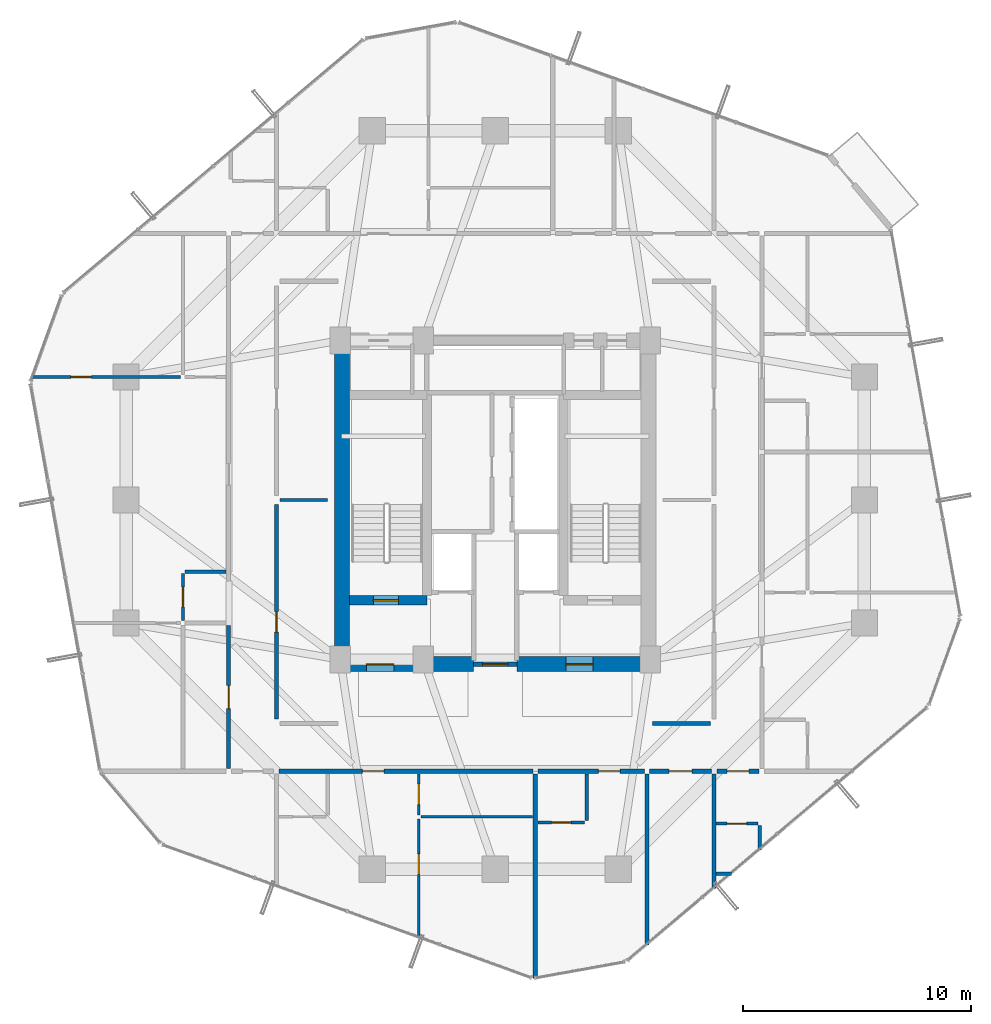
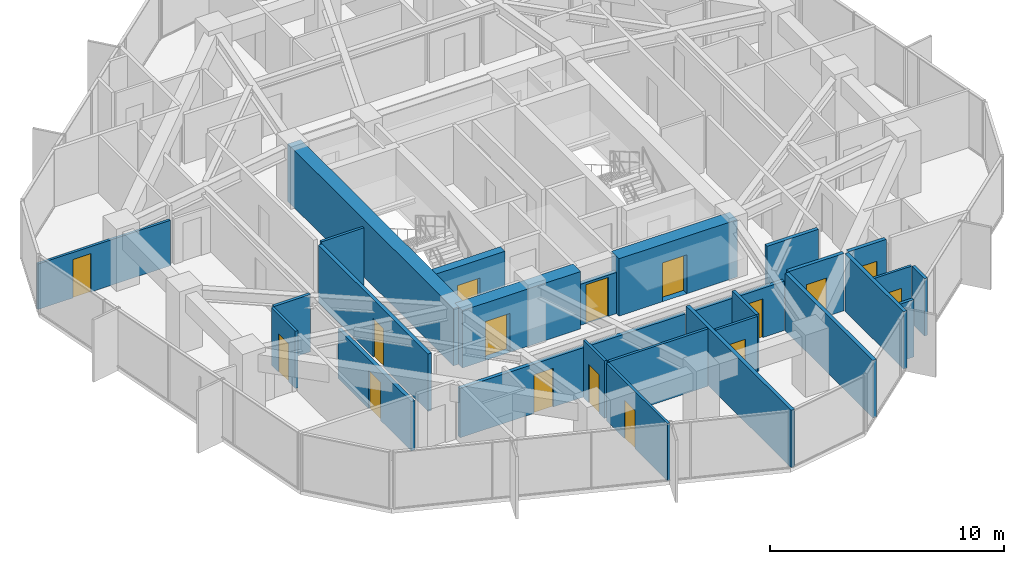
# One storey, part 31 of 36: 27 walls, 16 doors, 16 openings.
"""IFC4 building model written with IfcOpenShell, lengths in metres."""

from ifc_helpers import new_model, si_unit, direction, frame, frame_2d, origin, place, context, subcontext, project, spatial, rectangle, extrude, source, transform, mapped, material, layer, layer_set, type_object, element, fill, save


model = new_model("IFC4")

# Units and contexts
model_context = context("Model", 3, precision=1e-05, world=origin(), true_north=direction((0.0, 1.0)))
body_context = subcontext(model_context, "Body", "Model", "MODEL_VIEW")
ifc_project = project(units=[si_unit("LENGTHUNIT", "METRE"), si_unit("AREAUNIT", "SQUARE_METRE"), si_unit("VOLUMEUNIT", "CUBIC_METRE"), si_unit("PLANEANGLEUNIT", "RADIAN"), si_unit("MASSUNIT", "GRAM", prefix="KILO")], contexts=[model_context])

# Site, building, storey
site_placement = place(None, origin())
site = spatial("IfcSite", under=ifc_project, at=site_placement, CompositionType="ELEMENT")
building_placement = place(site_placement, origin())
building = spatial("IfcBuilding", under=site, at=building_placement, Name="Veraguas Prism Commons", CompositionType="ELEMENT")
storey_placement = place(building_placement, frame((0.0, 0.0, 163.050048828125)))
storey = spatial("IfcBuildingStorey", under=building, at=storey_placement, Name="L46", CompositionType="ELEMENT", Elevation=163.050048828125)

# Wall, opening, door
ifc_material_1 = material(Name="Concrete C50/60", Category="concrete")
ifc_layer_1 = layer(ifc_material_1, 0.39990234375, Name="Clinic and Mid Core Shear Wall RC 400", Category="concrete")
ifc_layer_set_1 = layer_set([ifc_layer_1], Name="Concrete C50/60")
wall_type_1 = type_object("IfcWallType", Name="Clinic and Mid Core Shear Wall RC 400", PredefinedType="SHEAR", material=ifc_layer_set_1)
wall_1_placement = place(storey_placement, frame((17.60009765625, 19.60009765625, 0.0), z_axis=(0.0, 0.0, 1.0), x_axis=(1.0, 0.0, 0.0)))
wall_1 = element("IfcWall", 1, at=wall_1_placement, inside=storey, type_object=wall_type_1, Name="Stair ST-01 South Shear Wall L46", PredefinedType="SHEAR", context=body_context, shape_type="SweptSolid", body=[
    extrude(rectangle(XDim=3.39990234375, YDim=0.39990234375, at=frame_2d((1.699951171875, 0.0))), origin(), (0.0, 0.0, 1.0), 3.0),
])
opening_1_placement = place(wall_1_placement, frame((1.050048828125, 0.0, 0.0)))
opening_1 = element("IfcOpeningElement", 2, at=opening_1_placement, cuts=wall_1, Name="Opening DR-05", PredefinedType="OPENING", context=body_context, shape_type="SweptSolid", body=[
    extrude(rectangle(XDim=1.10009765625, YDim=2.030029296875, at=frame_2d((0.550048828125, 1.01513671875))), frame((0.0, 0.2099609375, 0.0), z_axis=(0.0, -1.0, 0.0), x_axis=(1.0, 0.0, 0.0)), (0.0, 0.0, 1.0), 0.419921875),
])
ifc_material_2 = material(Name="Steel fire-rated door assembly", Category="steel")
door_type_1 = type_object("IfcDoorType", Name="Protected Stair and Refuge Fire Door 1100x2030", OperationType="NOTDEFINED", PredefinedType="DOOR", material=ifc_material_2)
shared_shape_1 = source(origin(), body_context, "Body", "SweptSolid", [
    extrude(rectangle(XDim=1.10009765625, YDim=2.030029296875, at=frame_2d((0.550048828125, 1.01513671875))), frame((0.0, 0.02490234375, 0.0), z_axis=(0.0, -1.0, 0.0), x_axis=(1.0, 0.0, 0.0)), (0.0, 0.0, 1.0), 0.050048828125),
])
door_1_placement = place(opening_1_placement, origin())
door_1 = element("IfcDoor", 3, at=door_1_placement, inside=storey, type_object=door_type_1, Name="Stair ST-01 Enclosure Door L46", OperationType="SINGLE_SWING_RIGHT", OverallHeight=2.030029296875, OverallWidth=1.10009765625, PredefinedType="DOOR", context=body_context, shape_type="MappedRepresentation", body=[
    mapped(shared_shape_1, transform((0.0, 0.0, 0.0), scale=1.0)),
])
fill(opening_1, door_1)

# Wall
ifc_material_3 = material(Name="Concrete C55/67", Category="concrete")
ifc_layer_2 = layer(ifc_material_3, 0.64990234375, Name="Core Outer Shear Wall Mid RC 650", Category="concrete")
ifc_layer_set_2 = layer_set([ifc_layer_2], Name="Concrete C55/67")
wall_type_2 = type_object("IfcWallType", Name="Core Outer Shear Wall Mid RC 650", PredefinedType="SHEAR", material=ifc_layer_set_2)
wall_2_placement = place(storey_placement, frame((17.27490234375, 16.800048828125, 0.0), z_axis=(0.0, 0.0, 1.0), x_axis=(0.0, 1.0, 0.0)))
element("IfcWall", 4, at=wall_2_placement, inside=storey, type_object=wall_type_2, Name="Central Core West Shear Wall L46", PredefinedType="SHEAR", context=body_context, shape_type="SweptSolid", body=[
    extrude(rectangle(XDim=14.199951171875, YDim=0.64990234375, at=frame_2d((7.10009765625, 0.0))), origin(), (0.0, 0.0, 1.0), 3.0),
])

# Wall, opening, door
wall_3_placement = place(storey_placement, frame((17.199951171875, 16.800048828125, 0.0), z_axis=(0.0, 0.0, 1.0), x_axis=(1.0, 0.0, 0.0)))
wall_3 = element("IfcWall", 5, at=wall_3_placement, inside=storey, type_object=wall_type_2, Name="Central Core South-West Shear Wall L46", PredefinedType="SHEAR", context=body_context, shape_type="SweptSolid", body=[
    extrude(rectangle(XDim=5.85009765625, YDim=0.64990234375, at=frame_2d((2.925048828125, 0.0))), origin(), (0.0, 0.0, 1.0), 3.0),
])
opening_2_placement = place(wall_3_placement, frame((1.14990234375, 0.0, 0.0)))
opening_2 = element("IfcOpeningElement", 6, at=opening_2_placement, cuts=wall_3, Name="Opening DR-06", PredefinedType="OPENING", context=body_context, shape_type="SweptSolid", body=[
    extrude(rectangle(XDim=1.199951171875, YDim=2.030029296875, at=frame_2d((0.60009765625, 1.01513671875))), frame((0.0, 0.3349609375, 0.0), z_axis=(0.0, -1.0, 0.0), x_axis=(1.0, 0.0, 0.0)), (0.0, 0.0, 1.0), 0.669921875),
])
door_type_2 = type_object("IfcDoorType", Name="Firefighting Lobby Smoke Door 1200x2030", OperationType="NOTDEFINED", PredefinedType="DOOR", material=ifc_material_2)
shared_shape_2 = source(origin(), body_context, "Body", "SweptSolid", [
    extrude(rectangle(XDim=1.199951171875, YDim=2.030029296875, at=frame_2d((0.60009765625, 1.01513671875))), frame((0.0, 0.02490234375, 0.0), z_axis=(0.0, -1.0, 0.0), x_axis=(1.0, 0.0, 0.0)), (0.0, 0.0, 1.0), 0.050048828125),
])
door_2_placement = place(opening_2_placement, origin())
door_2 = element("IfcDoor", 7, at=door_2_placement, inside=storey, type_object=door_type_2, Name="West FF Lobby Door L46", OperationType="SINGLE_SWING_RIGHT", OverallHeight=2.030029296875, OverallWidth=1.199951171875, PredefinedType="DOOR", context=body_context, shape_type="MappedRepresentation", body=[
    mapped(shared_shape_2, transform((0.0, 0.0, 0.0), scale=1.0)),
])
fill(opening_2, door_2)

wall_4_placement = place(storey_placement, frame((24.949951171875, 16.800048828125, 0.0), z_axis=(0.0, 0.0, 1.0), x_axis=(1.0, 0.0, 0.0)))
wall_4 = element("IfcWall", 8, at=wall_4_placement, inside=storey, type_object=wall_type_2, Name="Central Core South-East Shear Wall L46", PredefinedType="SHEAR", context=body_context, shape_type="SweptSolid", body=[
    extrude(rectangle(XDim=5.85009765625, YDim=0.64990234375, at=frame_2d((2.925048828125, 0.0))), origin(), (0.0, 0.0, 1.0), 3.0),
])
opening_3_placement = place(wall_4_placement, frame((2.14990234375, 0.0, 0.0)))
opening_3 = element("IfcOpeningElement", 9, at=opening_3_placement, cuts=wall_4, Name="Opening DR-06", PredefinedType="OPENING", context=body_context, shape_type="SweptSolid", body=[
    extrude(rectangle(XDim=1.199951171875, YDim=2.030029296875, at=frame_2d((0.60009765625, 1.01513671875))), frame((0.0, 0.3349609375, 0.0), z_axis=(0.0, -1.0, 0.0), x_axis=(1.0, 0.0, 0.0)), (0.0, 0.0, 1.0), 0.669921875),
])
door_3_placement = place(opening_3_placement, origin())
door_3 = element("IfcDoor", 10, at=door_3_placement, inside=storey, type_object=door_type_2, Name="East FF Lobby Door L46", OperationType="SINGLE_SWING_RIGHT", OverallHeight=2.030029296875, OverallWidth=1.199951171875, PredefinedType="DOOR", context=body_context, shape_type="MappedRepresentation", body=[
    mapped(shared_shape_2, transform((0.0, 0.0, 0.0), scale=1.0)),
])
fill(opening_3, door_3)

ifc_material_4 = material(Name="Autoclaved aerated masonry block 10 MPa", Category="masonry")
ifc_layer_3 = layer(ifc_material_4, 0.179931640625, Name="Corridor and Inter-Tenancy Partition 180", Category="masonry")
ifc_layer_set_3 = layer_set([ifc_layer_3], Name="Autoclaved aerated masonry block 10 MPa")
wall_type_3 = type_object("IfcWallType", Name="Corridor and Inter-Tenancy Partition 180", PredefinedType="PARTITIONING", material=ifc_layer_set_3)
wall_5_placement = place(storey_placement, frame((14.39990234375, 14.39990234375, 0.0), z_axis=(0.0, 0.0, 1.0), x_axis=(0.0, 1.0, 0.0)))
wall_5 = element("IfcWall", 11, at=wall_5_placement, inside=storey, type_object=wall_type_3, Name="WL-L46-IRW1", PredefinedType="PARTITIONING", context=body_context, shape_type="SweptSolid", body=[
    extrude(rectangle(XDim=9.400146484375, YDim=0.179931640625, at=frame_2d((4.7001953125, 0.0))), origin(), (0.0, 0.0, 1.0), 3.0),
])
opening_4_placement = place(wall_5_placement, frame((3.800048828125, 0.0, 0.0)))
opening_4 = element("IfcOpeningElement", 12, at=opening_4_placement, cuts=wall_5, Name="Opening DR-14", PredefinedType="OPENING", context=body_context, shape_type="SweptSolid", body=[
    extrude(rectangle(XDim=0.89990234375, YDim=2.010009765625, at=frame_2d((0.449951171875, 1.0048828125))), frame((0.0, 0.099853515625, 0.0), z_axis=(0.0, -1.0, 0.0), x_axis=(1.0, 0.0, 0.0)), (0.0, 0.0, 1.0), 0.199951171875),
])
door_type_3 = type_object("IfcDoorType", Name="Core Service Room Fire Door 900x2010", OperationType="NOTDEFINED", PredefinedType="DOOR", material=ifc_material_2)
shared_shape_3 = source(origin(), body_context, "Body", "SweptSolid", [
    extrude(rectangle(XDim=0.89990234375, YDim=2.010009765625, at=frame_2d((0.449951171875, 1.0048828125))), frame((0.0, 0.02490234375, 0.0), z_axis=(0.0, -1.0, 0.0), x_axis=(1.0, 0.0, 0.0)), (0.0, 0.0, 1.0), 0.050048828125),
])
door_4_placement = place(opening_4_placement, origin())
door_4 = element("IfcDoor", 13, at=door_4_placement, inside=storey, type_object=door_type_3, Name="Residents Quiet Study Pod Door L46", OperationType="SINGLE_SWING_LEFT", OverallHeight=2.010009765625, OverallWidth=0.89990234375, PredefinedType="DOOR", context=body_context, shape_type="MappedRepresentation", body=[
    mapped(shared_shape_3, transform((0.0, 0.0, 0.0), scale=1.0)),
])
fill(opening_4, door_4)

# Walls
wall_6_placement = place(storey_placement, frame((30.89990234375, 14.199951171875, 0.0), z_axis=(0.0, 0.0, 1.0), x_axis=(1.0, 0.0, 0.0)))
element("IfcWall", 14, at=wall_6_placement, inside=storey, type_object=wall_type_3, Name="WL-L46-IRES", PredefinedType="PARTITIONING", context=body_context, shape_type="SweptSolid", body=[
    extrude(rectangle(XDim=2.550048828125, YDim=0.179931640625, at=frame_2d((1.27490234375, 0.0))), origin(), (0.0, 0.0, 1.0), 3.0),
])
wall_7_placement = place(storey_placement, frame((33.60009765625, 11.97998046875, 0.0), z_axis=(0.0, 0.0, 1.0), x_axis=(0.0, -1.0, 0.0)))
element("IfcWall", 15, at=wall_7_placement, inside=storey, type_object=wall_type_3, Name="WL-L46-PT002", PredefinedType="PARTITIONING", context=body_context, shape_type="SweptSolid", body=[
    extrude(rectangle(XDim=5.019775390625, YDim=0.179931640625, at=frame_2d((2.509765625, 0.0))), origin(), (0.0, 0.0, 1.0), 3.0),
])

# Wall, opening, door
wall_8_placement = place(storey_placement, frame((14.510009765625, 12.10009765625, 0.0), z_axis=(0.0, 0.0, 1.0), x_axis=(1.0, 0.0, 0.0)))
wall_8 = element("IfcWall", 16, at=wall_8_placement, inside=storey, type_object=wall_type_3, Name="WL-L46-PT003", PredefinedType="PARTITIONING", context=body_context, shape_type="SweptSolid", body=[
    extrude(rectangle(XDim=11.135986328125, YDim=0.179931640625, at=frame_2d((5.56787109375, 0.0))), origin(), (0.0, 0.0, 1.0), 2.579833984375),
])
opening_5_placement = place(wall_8_placement, frame((3.6630859375, 0.0, 0.0)))
opening_5 = element("IfcOpeningElement", 17, at=opening_5_placement, cuts=wall_8, Name="Opening DR-01", PredefinedType="OPENING", context=body_context, shape_type="SweptSolid", body=[
    extrude(rectangle(XDim=0.949951171875, YDim=2.02001953125, at=frame_2d((0.47509765625, 1.010009765625))), frame((0.0, 0.099853515625, 0.0), z_axis=(0.0, -1.0, 0.0), x_axis=(1.0, 0.0, 0.0)), (0.0, 0.0, 1.0), 0.199951171875),
])
ifc_material_5 = material(Name="Anodised aluminium EN AW-6063 T6", Category="aluminium")
door_type_4 = type_object("IfcDoorType", Name="Apartment Entrance Fire Door 950x2020", OperationType="NOTDEFINED", PredefinedType="DOOR", material=ifc_material_5)
shared_shape_4 = source(origin(), body_context, "Body", "SweptSolid", [
    extrude(rectangle(XDim=0.949951171875, YDim=2.02001953125, at=frame_2d((0.47509765625, 1.010009765625))), frame((0.0, 0.02490234375, 0.0), z_axis=(0.0, -1.0, 0.0), x_axis=(1.0, 0.0, 0.0)), (0.0, 0.0, 1.0), 0.050048828125),
])
door_5_placement = place(opening_5_placement, origin())
door_5 = element("IfcDoor", 18, at=door_5_placement, inside=storey, type_object=door_type_4, Name="Flat 46A Entrance Door", OperationType="SINGLE_SWING_LEFT", OverallHeight=2.02001953125, OverallWidth=0.949951171875, PredefinedType="DOOR", context=body_context, shape_type="MappedRepresentation", body=[
    mapped(shared_shape_4, transform((0.0, 0.0, 0.0), scale=1.0)),
])
fill(opening_5, door_5)

# Wall
wall_9_placement = place(storey_placement, frame((25.756103515625, 11.97998046875, 0.0), z_axis=(0.0, 0.0, 1.0), x_axis=(0.0, -1.0, 0.0)))
element("IfcWall", 19, at=wall_9_placement, inside=storey, type_object=wall_type_3, Name="WL-L46-PT009", PredefinedType="PARTITIONING", context=body_context, shape_type="SweptSolid", body=[
    extrude(rectangle(XDim=8.9814453125, YDim=0.179931640625, at=frame_2d((4.49072265625, 0.0))), origin(), (0.0, 0.0, 1.0), 3.0),
])

# Wall, opening, door
wall_10_placement = place(storey_placement, frame((30.760009765625, 12.10009765625, 0.0), z_axis=(0.0, 0.0, 1.0), x_axis=(1.0, 0.0, 0.0)))
wall_10 = element("IfcWall", 20, at=wall_10_placement, inside=storey, type_object=wall_type_3, Name="WL-L46-PT010", PredefinedType="PARTITIONING", context=body_context, shape_type="SweptSolid", body=[
    extrude(rectangle(XDim=2.72998046875, YDim=0.179931640625, at=frame_2d((1.364990234375, 0.0))), origin(), (0.0, 0.0, 1.0), 3.0),
])
opening_6_placement = place(wall_10_placement, frame((0.864990234375, 0.0, 0.0)))
opening_6 = element("IfcOpeningElement", 21, at=opening_6_placement, cuts=wall_10, Name="Opening DR-13", PredefinedType="OPENING", context=body_context, shape_type="SweptSolid", body=[
    extrude(rectangle(XDim=1.0, YDim=2.010009765625, at=frame_2d((0.5, 1.0048828125))), frame((0.0, 0.099853515625, 0.0), z_axis=(0.0, -1.0, 0.0), x_axis=(1.0, 0.0, 0.0)), (0.0, 0.0, 1.0), 0.199951171875),
])
door_type_5 = type_object("IfcDoorType", Name="Core Accessible WC and Clinic Fire Door 1000x2010", OperationType="NOTDEFINED", PredefinedType="DOOR", material=ifc_material_2)
shared_shape_5 = source(origin(), body_context, "Body", "SweptSolid", [
    extrude(rectangle(XDim=1.0, YDim=2.010009765625, at=frame_2d((0.5, 1.0048828125))), frame((0.0, 0.02490234375, 0.0), z_axis=(0.0, -1.0, 0.0), x_axis=(1.0, 0.0, 0.0)), (0.0, 0.0, 1.0), 0.050048828125),
])
door_6_placement = place(opening_6_placement, origin())
door_6 = element("IfcDoor", 22, at=door_6_placement, inside=storey, type_object=door_type_5, Name="Quiet Study S Door", OperationType="SINGLE_SWING_LEFT", OverallHeight=2.010009765625, OverallWidth=1.0, PredefinedType="DOOR", context=body_context, shape_type="MappedRepresentation", body=[
    mapped(shared_shape_5, transform((0.0, 0.0, 0.0), scale=1.0)),
])
fill(opening_6, door_6)

# Wall
wall_11_placement = place(storey_placement, frame((30.64990234375, 11.97998046875, 0.0), z_axis=(0.0, 0.0, 1.0), x_axis=(0.0, -1.0, 0.0)))
element("IfcWall", 23, at=wall_11_placement, inside=storey, type_object=wall_type_3, Name="WL-L46-PT011", PredefinedType="PARTITIONING", context=body_context, shape_type="SweptSolid", body=[
    extrude(rectangle(XDim=7.5107421875, YDim=0.179931640625, at=frame_2d((3.75537109375, 0.0))), origin(), (0.0, 0.0, 1.0), 3.0),
])

# Wall, opening, door
wall_12_placement = place(storey_placement, frame((25.865966796875, 12.10009765625, 0.0), z_axis=(0.0, 0.0, 1.0), x_axis=(1.0, 0.0, 0.0)))
wall_12 = element("IfcWall", 24, at=wall_12_placement, inside=storey, type_object=wall_type_3, Name="WL-L46-PT012", PredefinedType="PARTITIONING", context=body_context, shape_type="SweptSolid", body=[
    extrude(rectangle(XDim=4.674072265625, YDim=0.179931640625, at=frame_2d((2.3369140625, 0.0))), origin(), (0.0, 0.0, 1.0), 2.579833984375),
])
opening_7_placement = place(wall_12_placement, frame((2.659912109375, 0.0, 0.0)))
opening_7 = element("IfcOpeningElement", 25, at=opening_7_placement, cuts=wall_12, Name="Opening DR-01", PredefinedType="OPENING", context=body_context, shape_type="SweptSolid", body=[
    extrude(rectangle(XDim=0.949951171875, YDim=2.02001953125, at=frame_2d((0.47509765625, 1.010009765625))), frame((0.0, 0.099853515625, 0.0), z_axis=(0.0, -1.0, 0.0), x_axis=(1.0, 0.0, 0.0)), (0.0, 0.0, 1.0), 0.199951171875),
])
door_7_placement = place(opening_7_placement, origin())
door_7 = element("IfcDoor", 26, at=door_7_placement, inside=storey, type_object=door_type_4, Name="Studio 46B Entrance Door", OperationType="SINGLE_SWING_RIGHT", OverallHeight=2.02001953125, OverallWidth=0.949951171875, PredefinedType="DOOR", context=body_context, shape_type="MappedRepresentation", body=[
    mapped(shared_shape_4, transform((0.0, 0.0, 0.0), scale=1.0)),
])
fill(opening_7, door_7)

wall_13_placement = place(storey_placement, frame((12.300048828125, 12.2099609375, 0.0), z_axis=(0.0, 0.0, 1.0), x_axis=(0.0, 1.0, 0.0)))
wall_13 = element("IfcWall", 27, at=wall_13_placement, inside=storey, type_object=wall_type_3, Name="WL-L46-PT029", PredefinedType="PARTITIONING", context=body_context, shape_type="SweptSolid", body=[
    extrude(rectangle(XDim=6.280029296875, YDim=0.179931640625, at=frame_2d((3.14013671875, 0.0))), origin(), (0.0, 0.0, 1.0), 2.579833984375),
])
opening_8_placement = place(wall_13_placement, frame((2.639892578125, 0.0, 0.0)))
opening_8 = element("IfcOpeningElement", 28, at=opening_8_placement, cuts=wall_13, Name="Opening DR-13", PredefinedType="OPENING", context=body_context, shape_type="SweptSolid", body=[
    extrude(rectangle(XDim=1.0, YDim=2.010009765625, at=frame_2d((0.5, 1.0048828125))), frame((0.0, 0.099853515625, 0.0), z_axis=(0.0, -1.0, 0.0), x_axis=(1.0, 0.0, 0.0)), (0.0, 0.0, 1.0), 0.199951171875),
])
door_8_placement = place(opening_8_placement, origin())
door_8 = element("IfcDoor", 29, at=door_8_placement, inside=storey, type_object=door_type_5, Name="Residents Study Alcove 46D Door", OperationType="SINGLE_SWING_RIGHT", OverallHeight=2.010009765625, OverallWidth=1.0, PredefinedType="DOOR", context=body_context, shape_type="MappedRepresentation", body=[
    mapped(shared_shape_5, transform((0.0, 0.0, 0.0), scale=1.0)),
])
fill(opening_8, door_8)

wall_14_placement = place(storey_placement, frame((33.719970703125, 12.10009765625, 0.0), z_axis=(0.0, 0.0, 1.0), x_axis=(1.0, 0.0, 0.0)))
wall_14 = element("IfcWall", 30, at=wall_14_placement, inside=storey, type_object=wall_type_3, Name="WL-L46-PT055", PredefinedType="PARTITIONING", context=body_context, shape_type="SweptSolid", body=[
    extrude(rectangle(XDim=1.860107421875, YDim=0.179931640625, at=frame_2d((0.93017578125, 0.0))), origin(), (0.0, 0.0, 1.0), 3.0),
])
opening_9_placement = place(wall_14_placement, frame((0.455078125, 0.0, 0.0)))
opening_9 = element("IfcOpeningElement", 31, at=opening_9_placement, cuts=wall_14, Name="Opening DR-01", PredefinedType="OPENING", context=body_context, shape_type="SweptSolid", body=[
    extrude(rectangle(XDim=0.949951171875, YDim=2.02001953125, at=frame_2d((0.47509765625, 1.010009765625))), frame((0.0, 0.099853515625, 0.0), z_axis=(0.0, -1.0, 0.0), x_axis=(1.0, 0.0, 0.0)), (0.0, 0.0, 1.0), 0.199951171875),
])
door_9_placement = place(opening_9_placement, origin())
door_9 = element("IfcDoor", 32, at=door_9_placement, inside=storey, type_object=door_type_4, Name="Studio 46G Entrance Door", OperationType="SINGLE_SWING_LEFT", OverallHeight=2.02001953125, OverallWidth=0.949951171875, PredefinedType="DOOR", context=body_context, shape_type="MappedRepresentation", body=[
    mapped(shared_shape_4, transform((0.0, 0.0, 0.0), scale=1.0)),
])
fill(opening_9, door_9)

# Wall
ifc_material_6 = material(Name="Lightweight acoustic gypsum board")
ifc_layer_4 = layer(ifc_material_6, 0.125, Name="Internal Apartment Room Partition 125")
ifc_layer_set_4 = layer_set([ifc_layer_4], Name="Lightweight acoustic gypsum board")
wall_type_4 = type_object("IfcWallType", Name="Internal Apartment Room Partition 125", PredefinedType="PARTITIONING", material=ifc_layer_set_4)
wall_15_placement = place(storey_placement, frame((14.550048828125, 24.0, 0.0), z_axis=(0.0, 0.0, 1.0), x_axis=(1.0, 0.0, 0.0)))
element("IfcWall", 33, at=wall_15_placement, inside=storey, type_object=wall_type_4, Name="WL-L46-IRWM", PredefinedType="PARTITIONING", context=body_context, shape_type="SweptSolid", body=[
    extrude(rectangle(XDim=2.099853515625, YDim=0.125, at=frame_2d((1.0498046875, 0.0))), origin(), (0.0, 0.0, 1.0), 3.0),
])

# Wall, opening, door
wall_16_placement = place(storey_placement, frame((20.64599609375, 11.97998046875, 0.0), z_axis=(0.0, 0.0, 1.0), x_axis=(0.0, -1.0, 0.0)))
wall_16 = element("IfcWall", 34, at=wall_16_placement, inside=storey, type_object=wall_type_4, Name="WL-L46-PT006", PredefinedType="PARTITIONING", context=body_context, shape_type="SweptSolid", body=[
    extrude(rectangle(XDim=1.800048828125, YDim=0.125, at=frame_2d((0.89990234375, 0.0))), origin(), (0.0, 0.0, 1.0), 3.0),
])
opening_10_placement = place(wall_16_placement, frame((0.449951171875, 0.0, 0.0)))
opening_10 = element("IfcOpeningElement", 35, at=opening_10_placement, cuts=wall_16, Name="Opening DR-02", PredefinedType="OPENING", context=body_context, shape_type="SweptSolid", body=[
    extrude(rectangle(XDim=0.89990234375, YDim=2.010009765625, at=frame_2d((0.449951171875, 1.0048828125))), frame((0.0, 0.072509765625, 0.0), z_axis=(0.0, -1.0, 0.0), x_axis=(1.0, 0.0, 0.0)), (0.0, 0.0, 1.0), 0.14501953125),
])
ifc_material_7 = material(Name="Timber solid core hardwood", Category="wood")
door_type_6 = type_object("IfcDoorType", Name="Internal Habitable Room Door 900x2010", OperationType="NOTDEFINED", PredefinedType="DOOR", material=ifc_material_7)
door_10_placement = place(opening_10_placement, origin())
door_10 = element("IfcDoor", 36, at=door_10_placement, inside=storey, type_object=door_type_6, Name="Flat 46A Kitchen Door", OperationType="SINGLE_SWING_LEFT", OverallHeight=2.010009765625, OverallWidth=0.89990234375, PredefinedType="DOOR", context=body_context, shape_type="MappedRepresentation", body=[
    mapped(shared_shape_3, transform((0.0, 0.0, 0.0), scale=1.0)),
])
fill(opening_10, door_10)

# Wall
wall_17_placement = place(storey_placement, frame((20.74609375, 10.10009765625, 0.0), z_axis=(0.0, 0.0, 1.0), x_axis=(1.0, 0.0, 0.0)))
element("IfcWall", 37, at=wall_17_placement, inside=storey, type_object=wall_type_4, Name="WL-L46-PT007", PredefinedType="PARTITIONING", context=body_context, shape_type="SweptSolid", body=[
    extrude(rectangle(XDim=4.889892578125, YDim=0.125, at=frame_2d((2.44482421875, 0.0))), origin(), (0.0, 0.0, 1.0), 3.0),
])

# Wall, opening, door
wall_18_placement = place(storey_placement, frame((20.64599609375, 10.0, 0.0), z_axis=(0.0, 0.0, 1.0), x_axis=(0.0, -1.0, 0.0)))
wall_18 = element("IfcWall", 38, at=wall_18_placement, inside=storey, type_object=wall_type_4, Name="WL-L46-PT008", PredefinedType="PARTITIONING", context=body_context, shape_type="SweptSolid", body=[
    extrude(rectangle(XDim=5.21337890625, YDim=0.125, at=frame_2d((2.606689453125, 0.0))), origin(), (0.0, 0.0, 1.0), 3.0),
])
opening_11_placement = place(wall_18_placement, frame((1.530517578125, 0.0, 0.0)))
opening_11 = element("IfcOpeningElement", 39, at=opening_11_placement, cuts=wall_18, Name="Opening DR-02", PredefinedType="OPENING", context=body_context, shape_type="SweptSolid", body=[
    extrude(rectangle(XDim=0.89990234375, YDim=2.010009765625, at=frame_2d((0.449951171875, 1.0048828125))), frame((0.0, 0.072509765625, 0.0), z_axis=(0.0, -1.0, 0.0), x_axis=(1.0, 0.0, 0.0)), (0.0, 0.0, 1.0), 0.14501953125),
])
door_11_placement = place(opening_11_placement, origin())
door_11 = element("IfcDoor", 40, at=door_11_placement, inside=storey, type_object=door_type_6, Name="Flat 46A Bedroom 1 Door", OperationType="SINGLE_SWING_RIGHT", OverallHeight=2.010009765625, OverallWidth=0.89990234375, PredefinedType="DOOR", context=body_context, shape_type="MappedRepresentation", body=[
    mapped(shared_shape_3, transform((0.0, 0.0, 0.0), scale=1.0)),
])
fill(opening_11, door_11)

wall_19_placement = place(storey_placement, frame((25.8759765625, 9.85009765625, 0.0), z_axis=(0.0, 0.0, 1.0), x_axis=(1.0, 0.0, 0.0)))
wall_19 = element("IfcWall", 41, at=wall_19_placement, inside=storey, type_object=wall_type_4, Name="WL-L46-PT014", PredefinedType="PARTITIONING", context=body_context, shape_type="SweptSolid", body=[
    extrude(rectangle(XDim=2.051025390625, YDim=0.125, at=frame_2d((1.025390625, 0.0))), origin(), (0.0, 0.0, 1.0), 3.0),
])
opening_12_placement = place(wall_19_placement, frame((0.595458984375, 0.0, 0.0)))
opening_12 = element("IfcOpeningElement", 42, at=opening_12_placement, cuts=wall_19, Name="Opening DR-03", PredefinedType="OPENING", context=body_context, shape_type="SweptSolid", body=[
    extrude(rectangle(XDim=0.860107421875, YDim=2.010009765625, at=frame_2d((0.43017578125, 1.0048828125))), frame((0.0, 0.072509765625, 0.0), z_axis=(0.0, -1.0, 0.0), x_axis=(1.0, 0.0, 0.0)), (0.0, 0.0, 1.0), 0.14501953125),
])
ifc_material_8 = material(Name="Timber moisture-resistant leaf", Category="wood")
door_type_7 = type_object("IfcDoorType", Name="Internal Bathroom Door 860x2010", OperationType="NOTDEFINED", PredefinedType="DOOR", material=ifc_material_8)
shared_shape_6 = source(origin(), body_context, "Body", "SweptSolid", [
    extrude(rectangle(XDim=0.860107421875, YDim=2.010009765625, at=frame_2d((0.43017578125, 1.0048828125))), frame((0.0, 0.02490234375, 0.0), z_axis=(0.0, -1.0, 0.0), x_axis=(1.0, 0.0, 0.0)), (0.0, 0.0, 1.0), 0.050048828125),
])
door_12_placement = place(opening_12_placement, origin())
door_12 = element("IfcDoor", 43, at=door_12_placement, inside=storey, type_object=door_type_7, Name="Studio 46B Bathroom Door", OperationType="SINGLE_SWING_LEFT", OverallHeight=2.010009765625, OverallWidth=0.860107421875, PredefinedType="DOOR", context=body_context, shape_type="MappedRepresentation", body=[
    mapped(shared_shape_6, transform((0.0, 0.0, 0.0), scale=1.0)),
])
fill(opening_12, door_12)

wall_20_placement = place(storey_placement, frame((10.300048828125, 18.719970703125, 0.0), z_axis=(0.0, 0.0, 1.0), x_axis=(0.0, 1.0, 0.0)))
wall_20 = element("IfcWall", 44, at=wall_20_placement, inside=storey, type_object=wall_type_4, Name="WL-L46-PT035", PredefinedType="PARTITIONING", context=body_context, shape_type="SweptSolid", body=[
    extrude(rectangle(XDim=2.050048828125, YDim=0.125, at=frame_2d((1.02490234375, 0.0))), origin(), (0.0, 0.0, 1.0), 3.0),
])
opening_13_placement = place(wall_20_placement, frame((0.594970703125, 0.0, 0.0)))
opening_13 = element("IfcOpeningElement", 45, at=opening_13_placement, cuts=wall_20, Name="Opening DR-03", PredefinedType="OPENING", context=body_context, shape_type="SweptSolid", body=[
    extrude(rectangle(XDim=0.860107421875, YDim=2.010009765625, at=frame_2d((0.43017578125, 1.0048828125))), frame((0.0, 0.072509765625, 0.0), z_axis=(0.0, -1.0, 0.0), x_axis=(1.0, 0.0, 0.0)), (0.0, 0.0, 1.0), 0.14501953125),
])
door_13_placement = place(opening_13_placement, origin())
door_13 = element("IfcDoor", 46, at=door_13_placement, inside=storey, type_object=door_type_7, Name="Flat 46D Bathroom Door", OperationType="SINGLE_SWING_LEFT", OverallHeight=2.010009765625, OverallWidth=0.860107421875, PredefinedType="DOOR", context=body_context, shape_type="MappedRepresentation", body=[
    mapped(shared_shape_6, transform((0.0, 0.0, 0.0), scale=1.0)),
])
fill(opening_13, door_13)

wall_21_placement = place(storey_placement, frame((10.199951171875, 29.39990234375, 0.0), z_axis=(0.0, 0.0, 1.0), x_axis=(-1.0, 0.0, 0.0)))
wall_21 = element("IfcWall", 47, at=wall_21_placement, inside=storey, type_object=wall_type_4, Name="WL-L46-PT038", PredefinedType="PARTITIONING", context=body_context, shape_type="SweptSolid", body=[
    extrude(rectangle(XDim=6.555908203125, YDim=0.125, at=frame_2d((3.27783203125, 0.0))), origin(), (0.0, 0.0, 1.0), 2.3779296875),
])
opening_14_placement = place(wall_21_placement, frame((3.923095703125, 0.0, 0.0)))
opening_14 = element("IfcOpeningElement", 48, at=opening_14_placement, cuts=wall_21, Name="Opening DR-02", PredefinedType="OPENING", context=body_context, shape_type="SweptSolid", body=[
    extrude(rectangle(XDim=0.89990234375, YDim=2.010009765625, at=frame_2d((0.449951171875, 1.0048828125))), frame((0.0, 0.072509765625, 0.0), z_axis=(0.0, -1.0, 0.0), x_axis=(1.0, 0.0, 0.0)), (0.0, 0.0, 1.0), 0.14501953125),
])
door_14_placement = place(opening_14_placement, origin())
door_14 = element("IfcDoor", 49, at=door_14_placement, inside=storey, type_object=door_type_6, Name="Flat 46D Bedroom 1 Door", OperationType="SINGLE_SWING_LEFT", OverallHeight=2.010009765625, OverallWidth=0.89990234375, PredefinedType="DOOR", context=body_context, shape_type="MappedRepresentation", body=[
    mapped(shared_shape_3, transform((0.0, 0.0, 0.0), scale=1.0)),
])
fill(opening_14, door_14)

wall_22_placement = place(storey_placement, frame((33.679931640625, 9.800048828125, 0.0), z_axis=(0.0, 0.0, 1.0), x_axis=(1.0, 0.0, 0.0)))
wall_22 = element("IfcWall", 50, at=wall_22_placement, inside=storey, type_object=wall_type_4, Name="WL-L46-PT056", PredefinedType="PARTITIONING", context=body_context, shape_type="SweptSolid", body=[
    extrude(rectangle(XDim=1.840087890625, YDim=0.125, at=frame_2d((0.919921875, 0.0))), origin(), (0.0, 0.0, 1.0), 3.0),
])
opening_15_placement = place(wall_22_placement, frame((0.489990234375, 0.0, 0.0)))
opening_15 = element("IfcOpeningElement", 51, at=opening_15_placement, cuts=wall_22, Name="Opening DR-03", PredefinedType="OPENING", context=body_context, shape_type="SweptSolid", body=[
    extrude(rectangle(XDim=0.860107421875, YDim=2.010009765625, at=frame_2d((0.43017578125, 1.0048828125))), frame((0.0, 0.072509765625, 0.0), z_axis=(0.0, -1.0, 0.0), x_axis=(1.0, 0.0, 0.0)), (0.0, 0.0, 1.0), 0.14501953125),
])
door_15_placement = place(opening_15_placement, origin())
door_15 = element("IfcDoor", 52, at=door_15_placement, inside=storey, type_object=door_type_7, Name="Studio 46G Bathroom Door", OperationType="SINGLE_SWING_RIGHT", OverallHeight=2.010009765625, OverallWidth=0.860107421875, PredefinedType="DOOR", context=body_context, shape_type="MappedRepresentation", body=[
    mapped(shared_shape_6, transform((0.0, 0.0, 0.0), scale=1.0)),
])
fill(opening_15, door_15)

ifc_layer_5 = layer(ifc_material_4, 0.199951171875, Name="Rated Shaft and Lobby Block Wall 200", Category="masonry")
ifc_layer_set_5 = layer_set([ifc_layer_5], Name="Autoclaved aerated masonry block 10 MPa")
wall_type_5 = type_object("IfcWallType", Name="Rated Shaft and Lobby Block Wall 200", PredefinedType="SOLIDWALL", material=ifc_layer_set_5)
wall_23_placement = place(storey_placement, frame((23.050048828125, 16.800048828125, 0.0), z_axis=(0.0, 0.0, 1.0), x_axis=(1.0, 0.0, 0.0)))
wall_23 = element("IfcWall", 53, at=wall_23_placement, inside=storey, type_object=wall_type_5, Name="Central Core Lobby Entrance Wall L46", PredefinedType="SOLIDWALL", context=body_context, shape_type="SweptSolid", body=[
    extrude(rectangle(XDim=1.89990234375, YDim=0.199951171875, at=frame_2d((0.949951171875, 0.0))), origin(), (0.0, 0.0, 1.0), 2.14990234375),
])
opening_16_placement = place(wall_23_placement, frame((0.39990234375, 0.0, 0.0)))
opening_16 = element("IfcOpeningElement", 54, at=opening_16_placement, cuts=wall_23, Name="Opening DR-05", PredefinedType="OPENING", context=body_context, shape_type="SweptSolid", body=[
    extrude(rectangle(XDim=1.10009765625, YDim=2.030029296875, at=frame_2d((0.550048828125, 1.01513671875))), frame((0.0, 0.10986328125, 0.0), z_axis=(0.0, -1.0, 0.0), x_axis=(1.0, 0.0, 0.0)), (0.0, 0.0, 1.0), 0.219970703125),
])
door_16_placement = place(opening_16_placement, origin())
door_16 = element("IfcDoor", 55, at=door_16_placement, inside=storey, type_object=door_type_1, Name="Central Lobby Door L46", OperationType="SINGLE_SWING_LEFT", OverallHeight=2.030029296875, OverallWidth=1.10009765625, PredefinedType="DOOR", context=body_context, shape_type="MappedRepresentation", body=[
    mapped(shared_shape_1, transform((0.0, 0.0, 0.0), scale=1.0)),
])
fill(opening_16, door_16)

# Walls
ifc_layer_6 = layer(ifc_material_6, 0.14990234375, Name="Wet Room and Clinic Acoustic Partition 150")
ifc_layer_set_6 = layer_set([ifc_layer_6], Name="Lightweight acoustic gypsum board")
wall_type_6 = type_object("IfcWallType", Name="Wet Room and Clinic Acoustic Partition 150", PredefinedType="PARTITIONING", material=ifc_layer_set_6)
wall_24_placement = place(storey_placement, frame((28.007080078125, 11.97998046875, 0.0), z_axis=(0.0, 0.0, 1.0), x_axis=(0.0, -1.0, 0.0)))
element("IfcWall", 56, at=wall_24_placement, inside=storey, type_object=wall_type_6, Name="WL-L46-PT013", PredefinedType="PARTITIONING", context=body_context, shape_type="SweptSolid", body=[
    extrude(rectangle(XDim=2.050048828125, YDim=0.14990234375, at=frame_2d((1.02490234375, 0.0))), origin(), (0.0, 0.0, 1.0), 3.0),
])
wall_25_placement = place(storey_placement, frame((12.179931640625, 20.85009765625, 0.0), z_axis=(0.0, 0.0, 1.0), x_axis=(-1.0, 0.0, 0.0)))
element("IfcWall", 57, at=wall_25_placement, inside=storey, type_object=wall_type_6, Name="WL-L46-PT034", PredefinedType="PARTITIONING", context=body_context, shape_type="SweptSolid", body=[
    extrude(rectangle(XDim=1.800048828125, YDim=0.14990234375, at=frame_2d((0.89990234375, 0.0))), origin(), (0.0, 0.0, 1.0), 3.0),
])
wall_26_placement = place(storey_placement, frame((33.679931640625, 7.60009765625, 0.0), z_axis=(0.0, 0.0, 1.0), x_axis=(1.0, 0.0, 0.0)))
element("IfcWall", 58, at=wall_26_placement, inside=storey, type_object=wall_type_6, Name="WL-L46-PT057", PredefinedType="PARTITIONING", context=body_context, shape_type="SweptSolid", body=[
    extrude(rectangle(XDim=0.677490234375, YDim=0.14990234375, at=frame_2d((0.3388671875, 0.0))), origin(), (0.0, 0.0, 1.0), 3.0),
])
wall_27_placement = place(storey_placement, frame((35.60009765625, 8.6494140625, 0.0), z_axis=(0.0, 0.0, 1.0), x_axis=(0.0, 1.0, 0.0)))
element("IfcWall", 59, at=wall_27_placement, inside=storey, type_object=wall_type_6, Name="WL-L46-PT058", PredefinedType="PARTITIONING", context=body_context, shape_type="SweptSolid", body=[
    extrude(rectangle(XDim=1.070556640625, YDim=0.14990234375, at=frame_2d((0.53515625, 0.0))), origin(), (0.0, 0.0, 1.0), 3.0),
])

save(model, "model.ifc")
